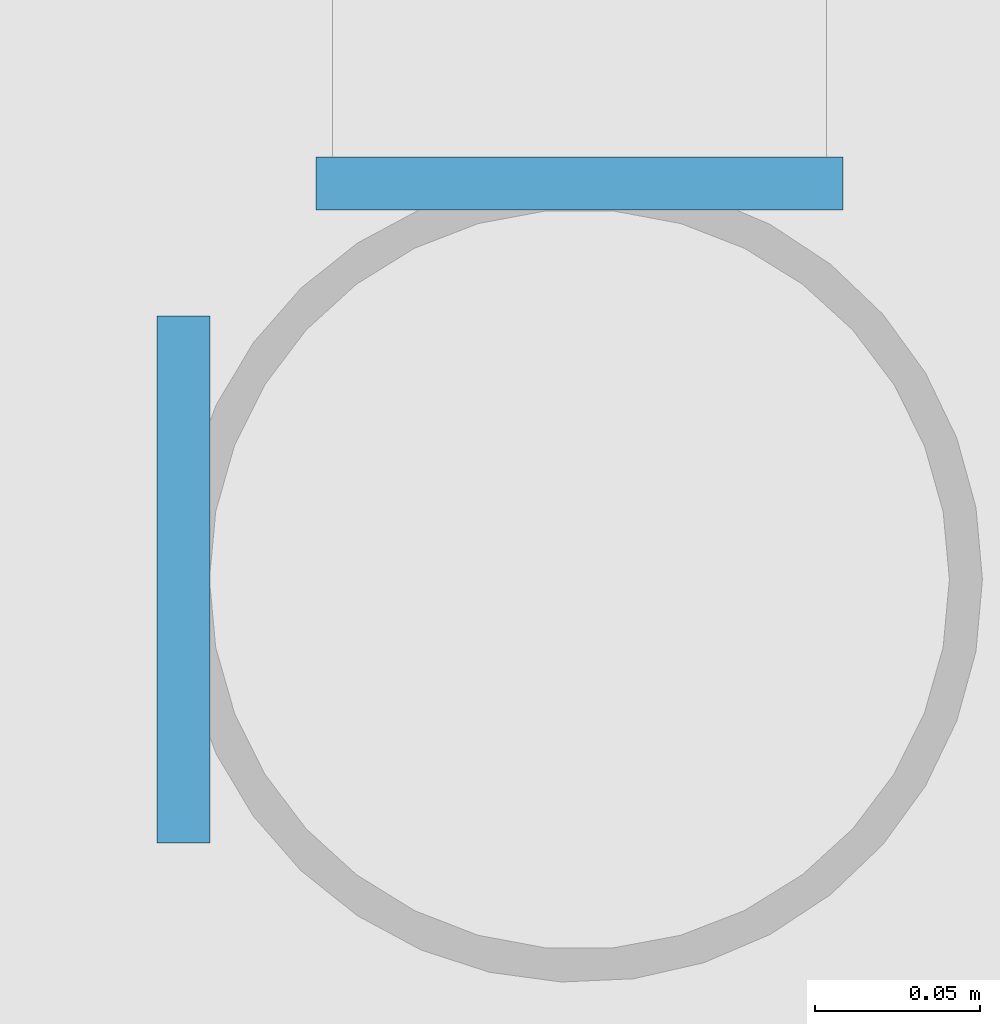
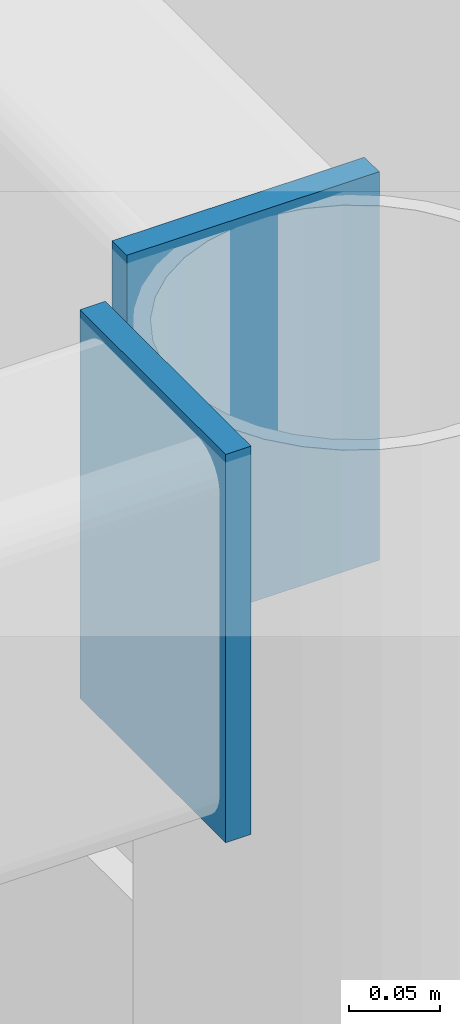
# One storey, part 48 of 76: 2 plates.
"""IFC4 building model written with IfcOpenShell, lengths in metres."""

from ifc_helpers import new_model, si_unit, direction, frame, origin, origin_2d, place, context, subcontext, project, spatial, rectangle, extrude, material, layer, layer_set, type_object, element, save


model = new_model("IFC4")

# Units and contexts
model_context = context("Model", 3, precision=1e-05, world=origin(), true_north=direction((0.0, 1.0)))
body_context = subcontext(model_context, "Body", "Model", "MODEL_VIEW")
ifc_project = project(units=[si_unit("LENGTHUNIT", "METRE"), si_unit("AREAUNIT", "SQUARE_METRE"), si_unit("VOLUMEUNIT", "CUBIC_METRE"), si_unit("PLANEANGLEUNIT", "RADIAN"), si_unit("MASSUNIT", "GRAM", prefix="KILO")], contexts=[model_context])

# Site, building, storey
site_placement = place(None, origin())
site = spatial("IfcSite", under=ifc_project, at=site_placement, CompositionType="ELEMENT")
building_placement = place(site_placement, origin())
building = spatial("IfcBuilding", under=site, at=building_placement, Name="Bozkorgan Art Gallery", CompositionType="ELEMENT")
storey_placement = place(building_placement, origin())
storey = spatial("IfcBuildingStorey", under=building, at=storey_placement, Name="L00", CompositionType="ELEMENT", Elevation=0.0)

# Plates
ifc_material = material(Name="Steel S355J2", Category="steel")
ifc_layer = layer(ifc_material, 0.01611328125, Name="Steel S355J2")
ifc_layer_set = layer_set([ifc_layer], Name="Steel S355J2")
plate_type = type_object("IfcPlateType", Name="PLATE-EC-14", PredefinedType="USERDEFINED", material=ifc_layer_set)
for number, where, z_axis, x_axis, name in (
    (1, (71.8798828125, 95.14990234375, 4.044921875), (0.0, 0.0, 1.0), (1.0, 0.0, 0.0), "North Sculpture-Court Covered Walk chord end cap 1.2"),
    (2, (72.0, 95.27001953125, 4.044921875), (0.0, 0.0, 1.0), (0.0, 1.0, 0.0), "North Sculpture-Court Covered Walk chord end cap 2.1"),
):
    element("IfcPlate", number, at=place(storey_placement, frame(where, z_axis=z_axis, x_axis=x_axis)), inside=storey, type_object=plate_type, Name=name, ObjectType="END CAP PLATE", PredefinedType="USERDEFINED", context=body_context, shape_type="SweptSolid", body=[
        extrude(rectangle(XDim=0.01611328125, YDim=0.159912109375, at=origin_2d()), origin(), (0.0, 0.0, 1.0), 0.260009765625),
    ])

save(model, "model.ifc")
